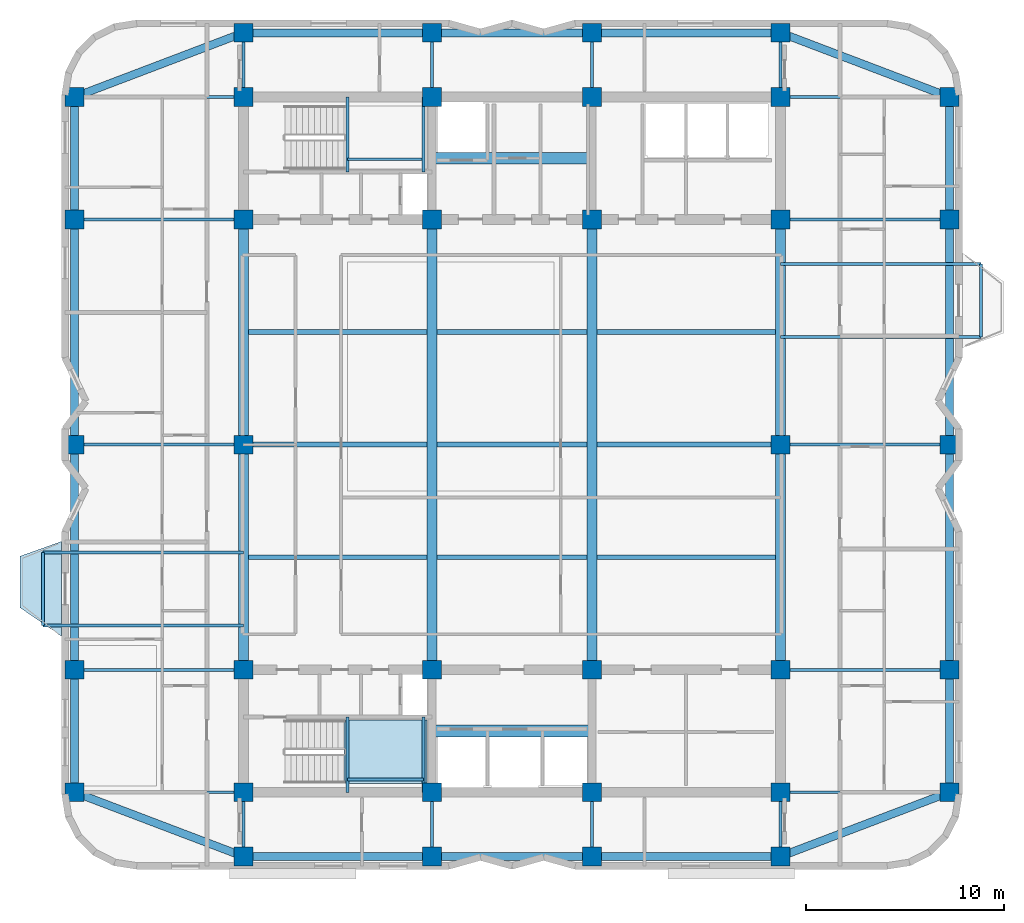
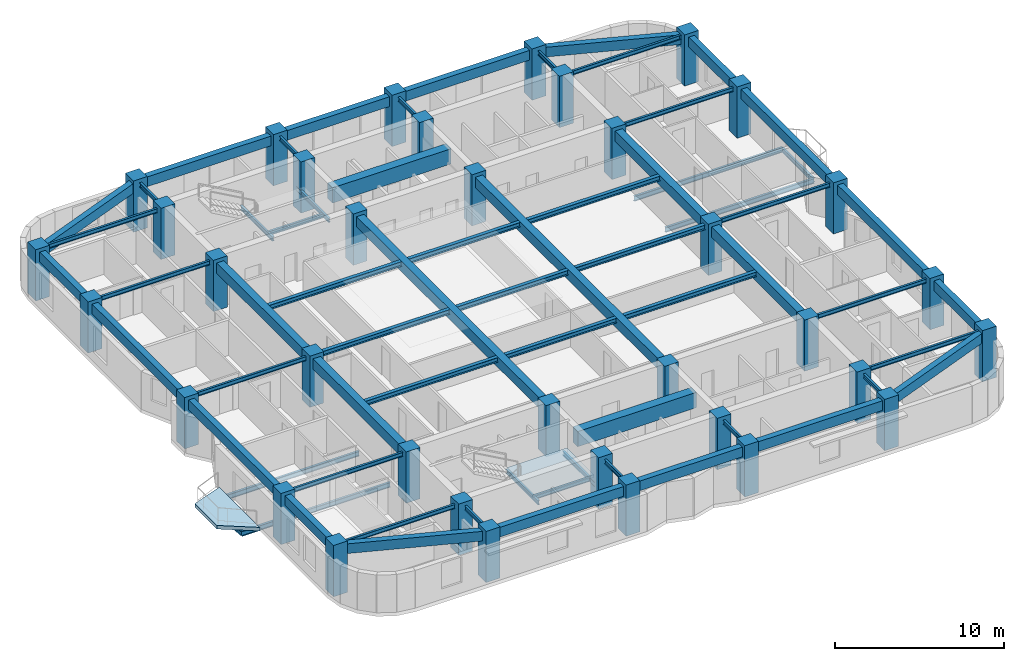
# One storey, part 1 of 10: 65 beams, 36 columns, 2 slabs, 1 element without a shape of its own.
"""IFC4 building model written with IfcOpenShell, lengths in metres."""

from ifc_helpers import new_model, si_unit, direction, frame, origin, origin_2d, place, context, subcontext, project, spatial, polyline, rectangle, i_section, outline, extrude, material, layer, layer_set, material_profile, profile_set, type_object, element, aggregate, save


model = new_model("IFC4")

# Units and contexts
model_context = context("Model", 3, precision=1e-05, world=origin(), true_north=direction((0.0, 1.0)))
body_context = subcontext(model_context, "Body", "Model", "MODEL_VIEW")
ifc_project = project(units=[si_unit("LENGTHUNIT", "METRE"), si_unit("AREAUNIT", "SQUARE_METRE"), si_unit("VOLUMEUNIT", "CUBIC_METRE"), si_unit("PLANEANGLEUNIT", "RADIAN"), si_unit("MASSUNIT", "GRAM", prefix="KILO")], contexts=[model_context])

# Site, building, storey
site_placement = place(None, origin())
site = spatial("IfcSite", under=ifc_project, at=site_placement, CompositionType="ELEMENT")
building_placement = place(site_placement, origin())
building = spatial("IfcBuilding", under=site, at=building_placement, Name="Svetorya Sky Lyceum", CompositionType="ELEMENT")
storey_placement = place(building_placement, frame((0.0, 0.0, 188.5)))
storey = spatial("IfcBuildingStorey", under=building, at=storey_placement, Name="L47", CompositionType="ELEMENT", Elevation=188.5)

# Columns
ifc_material_1 = material(Name="Concrete C50/60", Category="concrete")
ifc_material_profile_1 = material_profile(ifc_material_1, rectangle(XDim=0.949951171875, YDim=0.949951171875, at=origin_2d()), Name="RC COL 950x950")
ifc_profile_set_1 = profile_set([ifc_material_profile_1], Name="Concrete C50/60")
column_type = type_object("IfcColumnType", Name="COL-RC-950", PredefinedType="COLUMN", material=ifc_profile_set_1)
for number, where, z_axis, x_axis, name in (
    (1, (25.60009765625, 10.60009765625, 0.0), (0.0, 0.0, 1.0), (1.0, 0.0, 0.0), "L47 Core Column CS-11"),
    (2, (25.60009765625, 16.800048828125, 0.0), (0.0, 0.0, 1.0), (1.0, 0.0, 0.0), "L47 Core Column CS-12"),
    (3, (35.14990234375, 10.60009765625, 0.0), (0.0, 0.0, 1.0), (1.0, 0.0, 0.0), "L47 Core Column CS-21"),
    (4, (35.14990234375, 16.800048828125, 0.0), (0.0, 0.0, 1.0), (1.0, 0.0, 0.0), "L47 Core Column CS-22"),
    (5, (43.25, 10.60009765625, 0.0), (0.0, 0.0, 1.0), (1.0, 0.0, 0.0), "L47 Core Column CS-31"),
    (6, (43.25, 16.800048828125, 0.0), (0.0, 0.0, 1.0), (1.0, 0.0, 0.0), "L47 Core Column CS-32"),
    (7, (52.800048828125, 10.60009765625, 0.0), (0.0, 0.0, 1.0), (1.0, 0.0, 0.0), "L47 Core Column CS-41"),
    (8, (52.800048828125, 16.800048828125, 0.0), (0.0, 0.0, 1.0), (1.0, 0.0, 0.0), "L47 Core Column CS-42"),
    (9, (25.60009765625, 39.60009765625, 0.0), (0.0, 0.0, 1.0), (1.0, 0.0, 0.0), "L47 Core Column CN-11"),
    (10, (25.60009765625, 45.800048828125, 0.0), (0.0, 0.0, 1.0), (1.0, 0.0, 0.0), "L47 Core Column CN-12"),
    (11, (35.14990234375, 39.60009765625, 0.0), (0.0, 0.0, 1.0), (1.0, 0.0, 0.0), "L47 Core Column CN-21"),
    (12, (35.14990234375, 45.800048828125, 0.0), (0.0, 0.0, 1.0), (1.0, 0.0, 0.0), "L47 Core Column CN-22"),
    (13, (43.25, 39.60009765625, 0.0), (0.0, 0.0, 1.0), (1.0, 0.0, 0.0), "L47 Core Column CN-31"),
    (14, (43.25, 45.800048828125, 0.0), (0.0, 0.0, 1.0), (1.0, 0.0, 0.0), "L47 Core Column CN-32"),
    (15, (52.800048828125, 39.60009765625, 0.0), (0.0, 0.0, 1.0), (1.0, 0.0, 0.0), "L47 Core Column CN-41"),
    (16, (52.800048828125, 45.800048828125, 0.0), (0.0, 0.0, 1.0), (1.0, 0.0, 0.0), "L47 Core Column CN-42"),
    (17, (25.60009765625, 28.199951171875, 0.0), (0.0, 0.0, 1.0), (1.0, 0.0, 0.0), "L47 Core Column CM-W"),
    (18, (52.800048828125, 28.199951171875, 0.0), (0.0, 0.0, 1.0), (1.0, 0.0, 0.0), "L47 Core Column CM-E"),
    (19, (25.60009765625, 7.35009765625, 0.0), (0.0, 0.0, 1.0), (1.0, 0.0, 0.0), "L47 Perimeter Column S1"),
    (20, (25.60009765625, 49.050048828125, 0.0), (0.0, 0.0, 1.0), (1.0, 0.0, 0.0), "L47 Perimeter Column N1"),
    (21, (35.14990234375, 7.35009765625, 0.0), (0.0, 0.0, 1.0), (1.0, 0.0, 0.0), "L47 Perimeter Column S2"),
    (22, (35.14990234375, 49.050048828125, 0.0), (0.0, 0.0, 1.0), (1.0, 0.0, 0.0), "L47 Perimeter Column N2"),
    (23, (43.25, 7.35009765625, 0.0), (0.0, 0.0, 1.0), (1.0, 0.0, 0.0), "L47 Perimeter Column S3"),
    (24, (43.25, 49.050048828125, 0.0), (0.0, 0.0, 1.0), (1.0, 0.0, 0.0), "L47 Perimeter Column N3"),
    (25, (52.800048828125, 7.35009765625, 0.0), (0.0, 0.0, 1.0), (1.0, 0.0, 0.0), "L47 Perimeter Column S4"),
    (26, (52.800048828125, 49.050048828125, 0.0), (0.0, 0.0, 1.0), (1.0, 0.0, 0.0), "L47 Perimeter Column N4"),
    (27, (17.050048828125, 10.60009765625, 0.0), (0.0, 0.0, 1.0), (1.0, 0.0, 0.0), "L47 Perimeter Column W1"),
    (28, (61.35009765625, 10.60009765625, 0.0), (0.0, 0.0, 1.0), (1.0, 0.0, 0.0), "L47 Perimeter Column E1"),
    (29, (17.050048828125, 16.800048828125, 0.0), (0.0, 0.0, 1.0), (1.0, 0.0, 0.0), "L47 Perimeter Column W2"),
    (30, (61.35009765625, 16.800048828125, 0.0), (0.0, 0.0, 1.0), (1.0, 0.0, 0.0), "L47 Perimeter Column E2"),
    (31, (17.050048828125, 28.199951171875, 0.0), (0.0, 0.0, 1.0), (1.0, 0.0, 0.0), "L47 Perimeter Column W3"),
    (32, (61.35009765625, 28.199951171875, 0.0), (0.0, 0.0, 1.0), (1.0, 0.0, 0.0), "L47 Perimeter Column E3"),
    (33, (17.050048828125, 39.60009765625, 0.0), (0.0, 0.0, 1.0), (1.0, 0.0, 0.0), "L47 Perimeter Column W4"),
    (34, (61.35009765625, 39.60009765625, 0.0), (0.0, 0.0, 1.0), (1.0, 0.0, 0.0), "L47 Perimeter Column E4"),
    (35, (17.050048828125, 45.800048828125, 0.0), (0.0, 0.0, 1.0), (1.0, 0.0, 0.0), "L47 Perimeter Column W5"),
    (36, (61.35009765625, 45.800048828125, 0.0), (0.0, 0.0, 1.0), (1.0, 0.0, 0.0), "L47 Perimeter Column E5"),
):
    element("IfcColumn", number, at=place(storey_placement, frame(where, z_axis=z_axis, x_axis=x_axis)), inside=storey, type_object=column_type, Name=name, PredefinedType="COLUMN", context=body_context, shape_type="SweptSolid", body=[
        extrude(rectangle(XDim=0.949951171875, YDim=0.949951171875, at=origin_2d()), origin(), (0.0, 0.0, 1.0), 3.699951171875),
    ])

# Beams
ifc_material_2 = material(Name="Concrete C60/75", Category="concrete")
ifc_material_profile_2 = material_profile(ifc_material_2, rectangle(XDim=0.60009765625, YDim=1.10009765625, at=origin_2d()), Name="RC COUPLING 600x1100")
ifc_profile_set_2 = profile_set([ifc_material_profile_2], Name="Concrete C60/75")
beam_type_1 = type_object("IfcBeamType", Name="BM-CPL-1100", PredefinedType="LINTEL", material=ifc_profile_set_2)
for number, where, z_axis, x_axis, name in (
    (37, (35.14990234375, 13.699951171875, 2.889892578125), (1.0, 0.0, 0.0), (0.0, 1.0, 0.0), "L47 SC Core Coupling Beam"),
    (38, (35.14990234375, 42.699951171875, 2.889892578125), (1.0, 0.0, 0.0), (0.0, 1.0, 0.0), "L47 NC Core Coupling Beam"),
):
    element("IfcBeam", number, at=place(storey_placement, frame(where, z_axis=z_axis, x_axis=x_axis)), inside=storey, type_object=beam_type_1, Name=name, PredefinedType="LINTEL", context=body_context, shape_type="SweptSolid", body=[
        extrude(rectangle(XDim=0.60009765625, YDim=1.10009765625, at=origin_2d()), origin(), (0.0, 0.0, 1.0), 8.10009765625),
    ])
ifc_material_profile_3 = material_profile(ifc_material_1, rectangle(XDim=0.5, YDim=0.75, at=origin_2d()), Name="RC BEAM 500x750")
ifc_profile_set_3 = profile_set([ifc_material_profile_3], Name="Concrete C50/60")
beam_type_2 = type_object("IfcBeamType", Name="BM-RC-750", PredefinedType="BEAM", material=ifc_profile_set_3)
beam_1_placement = place(storey_placement, frame((25.60009765625, 16.800048828125, 3.06494140625), z_axis=(0.0, 1.0, 0.0), x_axis=(-1.0, 0.0, 0.0)))
element("IfcBeam", 39, at=beam_1_placement, inside=storey, type_object=beam_type_2, Name="L47 Central Bay Primary Girder CG-1A", PredefinedType="BEAM", context=body_context, shape_type="SweptSolid", body=[
    extrude(rectangle(XDim=0.5, YDim=0.75, at=origin_2d()), origin(), (0.0, 0.0, 1.0), 11.39990234375),
])
beam_2_placement = place(storey_placement, frame((25.60009765625, 28.199951171875, 3.06494140625), z_axis=(0.0, 1.0, 0.0), x_axis=(-1.0, 0.0, 0.0)))
element("IfcBeam", 40, at=beam_2_placement, inside=storey, type_object=beam_type_2, Name="L47 Central Bay Primary Girder CG-1B", PredefinedType="BEAM", context=body_context, shape_type="SweptSolid", body=[
    extrude(rectangle(XDim=0.5, YDim=0.75, at=origin_2d()), origin(), (0.0, 0.0, 1.0), 11.400146484375),
])
for number, where, z_axis, x_axis, name in (
    (41, (35.14990234375, 16.800048828125, 3.06494140625), (0.0, 1.0, 0.0), (-1.0, 0.0, 0.0), "L47 Central Bay Primary Girder CG-2"),
    (42, (43.25, 16.800048828125, 3.06494140625), (0.0, 1.0, 0.0), (-1.0, 0.0, 0.0), "L47 Central Bay Primary Girder CG-3"),
):
    element("IfcBeam", number, at=place(storey_placement, frame(where, z_axis=z_axis, x_axis=x_axis)), inside=storey, type_object=beam_type_2, Name=name, PredefinedType="BEAM", context=body_context, shape_type="SweptSolid", body=[
        extrude(rectangle(XDim=0.5, YDim=0.75, at=origin_2d()), origin(), (0.0, 0.0, 1.0), 22.800048828125),
    ])
beam_3_placement = place(storey_placement, frame((52.800048828125, 16.800048828125, 3.06494140625), z_axis=(0.0, 1.0, 0.0), x_axis=(-1.0, 0.0, 0.0)))
element("IfcBeam", 43, at=beam_3_placement, inside=storey, type_object=beam_type_2, Name="L47 Central Bay Primary Girder CG-4A", PredefinedType="BEAM", context=body_context, shape_type="SweptSolid", body=[
    extrude(rectangle(XDim=0.5, YDim=0.75, at=origin_2d()), origin(), (0.0, 0.0, 1.0), 11.39990234375),
])
beam_4_placement = place(storey_placement, frame((52.800048828125, 28.199951171875, 3.06494140625), z_axis=(0.0, 1.0, 0.0), x_axis=(-1.0, 0.0, 0.0)))
element("IfcBeam", 44, at=beam_4_placement, inside=storey, type_object=beam_type_2, Name="L47 Central Bay Primary Girder CG-4B", PredefinedType="BEAM", context=body_context, shape_type="SweptSolid", body=[
    extrude(rectangle(XDim=0.5, YDim=0.75, at=origin_2d()), origin(), (0.0, 0.0, 1.0), 11.400146484375),
])
ifc_material_profile_4 = material_profile(ifc_material_1, rectangle(XDim=0.39990234375, YDim=0.699951171875, at=origin_2d()), Name="RC SPANDREL 400x700")
ifc_profile_set_4 = profile_set([ifc_material_profile_4], Name="Concrete C50/60")
beam_type_3 = type_object("IfcBeamType", Name="BM-SPN-700", PredefinedType="SPANDREL", material=ifc_profile_set_4)
beam_5_placement = place(storey_placement, frame((25.60009765625, 7.35009765625, 3.090087890625), z_axis=(1.0, 0.0, 0.0), x_axis=(0.0, 1.0, 0.0)))
element("IfcBeam", 45, at=beam_5_placement, inside=storey, type_object=beam_type_3, Name="L47 South Spandrel 1", PredefinedType="SPANDREL", context=body_context, shape_type="SweptSolid", body=[
    extrude(rectangle(XDim=0.39990234375, YDim=0.699951171875, at=origin_2d()), origin(), (0.0, 0.0, 1.0), 9.5498046875),
])
beam_6_placement = place(storey_placement, frame((35.14990234375, 7.35009765625, 3.090087890625), z_axis=(1.0, 0.0, 0.0), x_axis=(0.0, 1.0, 0.0)))
element("IfcBeam", 46, at=beam_6_placement, inside=storey, type_object=beam_type_3, Name="L47 South Spandrel 2", PredefinedType="SPANDREL", context=body_context, shape_type="SweptSolid", body=[
    extrude(rectangle(XDim=0.39990234375, YDim=0.699951171875, at=origin_2d()), origin(), (0.0, 0.0, 1.0), 8.10009765625),
])
beam_7_placement = place(storey_placement, frame((43.25, 7.35009765625, 3.090087890625), z_axis=(1.0, 0.0, 0.0), x_axis=(0.0, 1.0, 0.0)))
element("IfcBeam", 47, at=beam_7_placement, inside=storey, type_object=beam_type_3, Name="L47 South Spandrel 3", PredefinedType="SPANDREL", context=body_context, shape_type="SweptSolid", body=[
    extrude(rectangle(XDim=0.39990234375, YDim=0.699951171875, at=origin_2d()), origin(), (0.0, 0.0, 1.0), 9.550048828125),
])
beam_8_placement = place(storey_placement, frame((25.60009765625, 49.050048828125, 3.090087890625), z_axis=(1.0, 0.0, 0.0), x_axis=(0.0, 1.0, 0.0)))
element("IfcBeam", 48, at=beam_8_placement, inside=storey, type_object=beam_type_3, Name="L47 North Spandrel 1", PredefinedType="SPANDREL", context=body_context, shape_type="SweptSolid", body=[
    extrude(rectangle(XDim=0.39990234375, YDim=0.699951171875, at=origin_2d()), origin(), (0.0, 0.0, 1.0), 9.5498046875),
])
beam_9_placement = place(storey_placement, frame((35.14990234375, 49.050048828125, 3.090087890625), z_axis=(1.0, 0.0, 0.0), x_axis=(0.0, 1.0, 0.0)))
element("IfcBeam", 49, at=beam_9_placement, inside=storey, type_object=beam_type_3, Name="L47 North Spandrel 2", PredefinedType="SPANDREL", context=body_context, shape_type="SweptSolid", body=[
    extrude(rectangle(XDim=0.39990234375, YDim=0.699951171875, at=origin_2d()), origin(), (0.0, 0.0, 1.0), 8.10009765625),
])
beam_10_placement = place(storey_placement, frame((43.25, 49.050048828125, 3.090087890625), z_axis=(1.0, 0.0, 0.0), x_axis=(0.0, 1.0, 0.0)))
element("IfcBeam", 50, at=beam_10_placement, inside=storey, type_object=beam_type_3, Name="L47 North Spandrel 3", PredefinedType="SPANDREL", context=body_context, shape_type="SweptSolid", body=[
    extrude(rectangle(XDim=0.39990234375, YDim=0.699951171875, at=origin_2d()), origin(), (0.0, 0.0, 1.0), 9.550048828125),
])
for number, where, z_axis, x_axis, name in (
    (51, (25.60009765625, 7.35009765625, 3.090087890625), (-0.934747947367, 0.355311518099, 0.0), (-0.355311518099, -0.934747947367, 0.0), "L47 Corner Spandrel 1"),
    (52, (52.800048828125, 7.35009765625, 3.090087890625), (0.934747947367, 0.355311518099, 0.0), (-0.355311518099, 0.934747947367, 0.0), "L47 Corner Spandrel 2"),
    (53, (61.35009765625, 45.800048828125, 3.090087890625), (-0.934747947367, 0.355311518099, 0.0), (-0.355311518099, -0.934747947367, 0.0), "L47 Corner Spandrel 3"),
    (54, (17.050048828125, 45.800048828125, 3.090087890625), (0.934747947367, 0.355311518099, 0.0), (-0.355311518099, 0.934747947367, 0.0), "L47 Corner Spandrel 4"),
):
    element("IfcBeam", number, at=place(storey_placement, frame(where, z_axis=z_axis, x_axis=x_axis)), inside=storey, type_object=beam_type_3, Name=name, PredefinedType="SPANDREL", context=body_context, shape_type="SweptSolid", body=[
        extrude(rectangle(XDim=0.39990234375, YDim=0.699951171875, at=origin_2d()), origin(), (0.0, 0.0, 1.0), 9.14697265625),
    ])
beam_11_placement = place(storey_placement, frame((17.050048828125, 10.60009765625, 3.090087890625), z_axis=(0.0, 1.0, 0.0), x_axis=(-1.0, 0.0, 0.0)))
element("IfcBeam", 55, at=beam_11_placement, inside=storey, type_object=beam_type_3, Name="L47 West Spandrel 1", PredefinedType="SPANDREL", context=body_context, shape_type="SweptSolid", body=[
    extrude(rectangle(XDim=0.39990234375, YDim=0.699951171875, at=origin_2d()), origin(), (0.0, 0.0, 1.0), 6.199951171875),
])
beam_12_placement = place(storey_placement, frame((17.050048828125, 16.800048828125, 3.090087890625), z_axis=(0.0, 1.0, 0.0), x_axis=(-1.0, 0.0, 0.0)))
element("IfcBeam", 56, at=beam_12_placement, inside=storey, type_object=beam_type_3, Name="L47 West Spandrel 2", PredefinedType="SPANDREL", context=body_context, shape_type="SweptSolid", body=[
    extrude(rectangle(XDim=0.39990234375, YDim=0.699951171875, at=origin_2d()), origin(), (0.0, 0.0, 1.0), 11.39990234375),
])
beam_13_placement = place(storey_placement, frame((17.050048828125, 28.199951171875, 3.090087890625), z_axis=(0.0, 1.0, 0.0), x_axis=(-1.0, 0.0, 0.0)))
element("IfcBeam", 57, at=beam_13_placement, inside=storey, type_object=beam_type_3, Name="L47 West Spandrel 3", PredefinedType="SPANDREL", context=body_context, shape_type="SweptSolid", body=[
    extrude(rectangle(XDim=0.39990234375, YDim=0.699951171875, at=origin_2d()), origin(), (0.0, 0.0, 1.0), 11.400146484375),
])
for number, where, z_axis, x_axis, name in (
    (58, (17.050048828125, 39.60009765625, 3.090087890625), (0.0, 1.0, 0.0), (-1.0, 0.0, 0.0), "L47 West Spandrel 4"),
    (59, (61.35009765625, 10.60009765625, 3.090087890625), (0.0, 1.0, 0.0), (-1.0, 0.0, 0.0), "L47 East Spandrel 1"),
):
    element("IfcBeam", number, at=place(storey_placement, frame(where, z_axis=z_axis, x_axis=x_axis)), inside=storey, type_object=beam_type_3, Name=name, PredefinedType="SPANDREL", context=body_context, shape_type="SweptSolid", body=[
        extrude(rectangle(XDim=0.39990234375, YDim=0.699951171875, at=origin_2d()), origin(), (0.0, 0.0, 1.0), 6.199951171875),
    ])
beam_14_placement = place(storey_placement, frame((61.35009765625, 16.800048828125, 3.090087890625), z_axis=(0.0, 1.0, 0.0), x_axis=(-1.0, 0.0, 0.0)))
element("IfcBeam", 60, at=beam_14_placement, inside=storey, type_object=beam_type_3, Name="L47 East Spandrel 2", PredefinedType="SPANDREL", context=body_context, shape_type="SweptSolid", body=[
    extrude(rectangle(XDim=0.39990234375, YDim=0.699951171875, at=origin_2d()), origin(), (0.0, 0.0, 1.0), 11.39990234375),
])
beam_15_placement = place(storey_placement, frame((61.35009765625, 28.199951171875, 3.090087890625), z_axis=(0.0, 1.0, 0.0), x_axis=(-1.0, 0.0, 0.0)))
element("IfcBeam", 61, at=beam_15_placement, inside=storey, type_object=beam_type_3, Name="L47 East Spandrel 3", PredefinedType="SPANDREL", context=body_context, shape_type="SweptSolid", body=[
    extrude(rectangle(XDim=0.39990234375, YDim=0.699951171875, at=origin_2d()), origin(), (0.0, 0.0, 1.0), 11.400146484375),
])
beam_16_placement = place(storey_placement, frame((61.35009765625, 39.60009765625, 3.090087890625), z_axis=(0.0, 1.0, 0.0), x_axis=(-1.0, 0.0, 0.0)))
element("IfcBeam", 62, at=beam_16_placement, inside=storey, type_object=beam_type_3, Name="L47 East Spandrel 4", PredefinedType="SPANDREL", context=body_context, shape_type="SweptSolid", body=[
    extrude(rectangle(XDim=0.39990234375, YDim=0.699951171875, at=origin_2d()), origin(), (0.0, 0.0, 1.0), 6.199951171875),
])
ifc_material_3 = material(Name="Steel S355", Category="steel")
ifc_material_profile_5 = material_profile(ifc_material_3, i_section(OverallWidth=0.14990234375, OverallDepth=0.299072265625, WebThickness=0.006591796875, FlangeThickness=0.010498046875, at=origin_2d()), Name="GOST 30B2")
ifc_profile_set_5 = profile_set([ifc_material_profile_5], Name="Steel S355")
beam_type_4 = type_object("IfcBeamType", Name="BM-STL-30B2", PredefinedType="JOIST", material=ifc_profile_set_5)
beam_17_placement = place(storey_placement, frame((15.449951171875, 19.050048828125, -0.4345703125), z_axis=(0.0, 1.0, 0.0), x_axis=(-1.0, 0.0, 0.0)))
element("IfcBeam", 63, at=beam_17_placement, inside=storey, type_object=beam_type_4, Name="L47 Balcony Edge Tie BAL-W1", PredefinedType="JOIST", context=body_context, shape_type="SweptSolid", body=[
    extrude(i_section(OverallWidth=0.14990234375, OverallDepth=0.299072265625, WebThickness=0.006591796875, FlangeThickness=0.010498046875, at=origin_2d()), origin(), (0.0, 0.0, 1.0), 3.699951171875),
])
beam_18_placement = place(storey_placement, frame((62.949951171875, 33.64990234375, -0.4345703125), z_axis=(0.0, 1.0, 0.0), x_axis=(-1.0, 0.0, 0.0)))
element("IfcBeam", 64, at=beam_18_placement, inside=storey, type_object=beam_type_4, Name="L47 Balcony Edge Tie BAL-E1", PredefinedType="JOIST", context=body_context, shape_type="SweptSolid", body=[
    extrude(i_section(OverallWidth=0.14990234375, OverallDepth=0.299072265625, WebThickness=0.006591796875, FlangeThickness=0.010498046875, at=origin_2d()), origin(), (0.0, 0.0, 1.0), 3.7001953125),
])
for number, where, z_axis, x_axis, name in (
    (65, (17.050048828125, 10.60009765625, 3.29052734375), (1.0, 0.0, 0.0), (0.0, 1.0, 0.0), "L47 West Wing Floor Joist W1"),
    (66, (52.800048828125, 10.60009765625, 3.29052734375), (1.0, 0.0, 0.0), (0.0, 1.0, 0.0), "L47 East Wing Floor Joist E1"),
    (67, (17.050048828125, 16.800048828125, 3.29052734375), (1.0, 0.0, 0.0), (0.0, 1.0, 0.0), "L47 West Wing Floor Joist W2"),
    (68, (52.800048828125, 16.800048828125, 3.29052734375), (1.0, 0.0, 0.0), (0.0, 1.0, 0.0), "L47 East Wing Floor Joist E2"),
    (69, (17.050048828125, 28.199951171875, 3.29052734375), (1.0, 0.0, 0.0), (0.0, 1.0, 0.0), "L47 West Wing Floor Joist W3"),
    (70, (52.800048828125, 28.199951171875, 3.29052734375), (1.0, 0.0, 0.0), (0.0, 1.0, 0.0), "L47 East Wing Floor Joist E3"),
    (71, (17.050048828125, 39.60009765625, 3.29052734375), (1.0, 0.0, 0.0), (0.0, 1.0, 0.0), "L47 West Wing Floor Joist W4"),
    (72, (52.800048828125, 39.60009765625, 3.29052734375), (1.0, 0.0, 0.0), (0.0, 1.0, 0.0), "L47 East Wing Floor Joist E4"),
    (73, (17.050048828125, 45.800048828125, 3.29052734375), (1.0, 0.0, 0.0), (0.0, 1.0, 0.0), "L47 West Wing Floor Joist W5"),
    (74, (52.800048828125, 45.800048828125, 3.29052734375), (1.0, 0.0, 0.0), (0.0, 1.0, 0.0), "L47 East Wing Floor Joist E5"),
):
    element("IfcBeam", number, at=place(storey_placement, frame(where, z_axis=z_axis, x_axis=x_axis)), inside=storey, type_object=beam_type_4, Name=name, PredefinedType="JOIST", context=body_context, shape_type="SweptSolid", body=[
        extrude(i_section(OverallWidth=0.14990234375, OverallDepth=0.299072265625, WebThickness=0.006591796875, FlangeThickness=0.010498046875, at=origin_2d()), origin(), (0.0, 0.0, 1.0), 8.550048828125),
    ])
for number, where, z_axis, x_axis, name in (
    (75, (25.60009765625, 7.35009765625, 3.29052734375), (0.0, 1.0, 0.0), (-1.0, 0.0, 0.0), "L47 South Bay Floor Girder S1"),
    (76, (25.60009765625, 45.800048828125, 3.29052734375), (0.0, 1.0, 0.0), (-1.0, 0.0, 0.0), "L47 North Bay Floor Girder N1"),
    (77, (35.14990234375, 7.35009765625, 3.29052734375), (0.0, 1.0, 0.0), (-1.0, 0.0, 0.0), "L47 South Bay Floor Girder S2"),
    (78, (35.14990234375, 45.800048828125, 3.29052734375), (0.0, 1.0, 0.0), (-1.0, 0.0, 0.0), "L47 North Bay Floor Girder N2"),
    (79, (43.25, 7.35009765625, 3.29052734375), (0.0, 1.0, 0.0), (-1.0, 0.0, 0.0), "L47 South Bay Floor Girder S3"),
    (80, (43.25, 45.800048828125, 3.29052734375), (0.0, 1.0, 0.0), (-1.0, 0.0, 0.0), "L47 North Bay Floor Girder N3"),
    (81, (52.800048828125, 7.35009765625, 3.29052734375), (0.0, 1.0, 0.0), (-1.0, 0.0, 0.0), "L47 South Bay Floor Girder S4"),
    (82, (52.800048828125, 45.800048828125, 3.29052734375), (0.0, 1.0, 0.0), (-1.0, 0.0, 0.0), "L47 North Bay Floor Girder N4"),
):
    element("IfcBeam", number, at=place(storey_placement, frame(where, z_axis=z_axis, x_axis=x_axis)), inside=storey, type_object=beam_type_4, Name=name, PredefinedType="JOIST", context=body_context, shape_type="SweptSolid", body=[
        extrude(i_section(OverallWidth=0.14990234375, OverallDepth=0.299072265625, WebThickness=0.006591796875, FlangeThickness=0.010498046875, at=origin_2d()), origin(), (0.0, 0.0, 1.0), 3.25),
    ])
for number, where, z_axis, x_axis, name in (
    (83, (30.8798828125, 10.60009765625, 1.50048828125), (0.0, 1.0, 0.0), (-1.0, 0.0, 0.0), "L47 Stair ST-S Half-Landing Support Beam 53.1"),
    (84, (34.719970703125, 10.60009765625, 1.50048828125), (0.0, 1.0, 0.0), (-1.0, 0.0, 0.0), "L47 Stair ST-S Half-Landing Support Beam 53.2"),
):
    element("IfcBeam", number, at=place(storey_placement, frame(where, z_axis=z_axis, x_axis=x_axis)), inside=storey, type_object=beam_type_4, Name=name, PredefinedType="JOIST", context=body_context, shape_type="SweptSolid", body=[
        extrude(i_section(OverallWidth=0.14990234375, OverallDepth=0.299072265625, WebThickness=0.006591796875, FlangeThickness=0.010498046875, at=origin_2d()), origin(), (0.0, 0.0, 1.0), 3.7998046875),
    ])
beam_19_placement = place(storey_placement, frame((30.8798828125, 11.25, 1.50048828125), z_axis=(1.0, 0.0, 0.0), x_axis=(0.0, 1.0, 0.0)))
element("IfcBeam", 85, at=beam_19_placement, inside=storey, type_object=beam_type_4, Name="L47 Stair ST-S Half-Landing Cross Tie 53", PredefinedType="JOIST", context=body_context, shape_type="SweptSolid", body=[
    extrude(i_section(OverallWidth=0.14990234375, OverallDepth=0.299072265625, WebThickness=0.006591796875, FlangeThickness=0.010498046875, at=origin_2d()), origin(), (0.0, 0.0, 1.0), 3.840087890625),
])
for number, where, z_axis, x_axis, name in (
    (86, (30.8798828125, 42.0, 1.50048828125), (0.0, 1.0, 0.0), (-1.0, 0.0, 0.0), "L47 Stair ST-N Half-Landing Support Beam 53.1"),
    (87, (34.719970703125, 42.0, 1.50048828125), (0.0, 1.0, 0.0), (-1.0, 0.0, 0.0), "L47 Stair ST-N Half-Landing Support Beam 53.2"),
):
    element("IfcBeam", number, at=place(storey_placement, frame(where, z_axis=z_axis, x_axis=x_axis)), inside=storey, type_object=beam_type_4, Name=name, PredefinedType="JOIST", context=body_context, shape_type="SweptSolid", body=[
        extrude(i_section(OverallWidth=0.14990234375, OverallDepth=0.299072265625, WebThickness=0.006591796875, FlangeThickness=0.010498046875, at=origin_2d()), origin(), (0.0, 0.0, 1.0), 3.800048828125),
    ])
beam_20_placement = place(storey_placement, frame((30.8798828125, 42.64990234375, 1.50048828125), z_axis=(1.0, 0.0, 0.0), x_axis=(0.0, 1.0, 0.0)))
element("IfcBeam", 88, at=beam_20_placement, inside=storey, type_object=beam_type_4, Name="L47 Stair ST-N Half-Landing Cross Tie 53", PredefinedType="JOIST", context=body_context, shape_type="SweptSolid", body=[
    extrude(i_section(OverallWidth=0.14990234375, OverallDepth=0.299072265625, WebThickness=0.006591796875, FlangeThickness=0.010498046875, at=origin_2d()), origin(), (0.0, 0.0, 1.0), 3.840087890625),
])
ifc_material_profile_6 = material_profile(ifc_material_3, i_section(OverallWidth=0.155029296875, OverallDepth=0.34912109375, WebThickness=0.007080078125, FlangeThickness=0.011474609375, at=origin_2d()), Name="GOST 35B2")
ifc_profile_set_6 = profile_set([ifc_material_profile_6], Name="Steel S355")
beam_type_5 = type_object("IfcBeamType", Name="BM-STL-35B2", PredefinedType="JOIST", material=ifc_profile_set_6)
for number, where, z_axis, x_axis, name in (
    (89, (25.60009765625, 19.050048828125, -0.4345703125), (-1.0, 0.0, 0.0), (0.0, -1.0, 0.0), "L47 Balcony Cantilever Beam BAL-W1-1"),
    (90, (25.60009765625, 22.75, -0.4345703125), (-1.0, 0.0, 0.0), (0.0, -1.0, 0.0), "L47 Balcony Cantilever Beam BAL-W1-2"),
):
    element("IfcBeam", number, at=place(storey_placement, frame(where, z_axis=z_axis, x_axis=x_axis)), inside=storey, type_object=beam_type_5, Name=name, PredefinedType="JOIST", context=body_context, shape_type="SweptSolid", body=[
        extrude(i_section(OverallWidth=0.155029296875, OverallDepth=0.34912109375, WebThickness=0.007080078125, FlangeThickness=0.011474609375, at=origin_2d()), origin(), (0.0, 0.0, 1.0), 10.150146484375),
    ])
for number, where, z_axis, x_axis, name in (
    (91, (52.800048828125, 33.64990234375, -0.4345703125), (1.0, 0.0, 0.0), (0.0, 1.0, 0.0), "L47 Balcony Cantilever Beam BAL-E1-1"),
    (92, (52.800048828125, 37.35009765625, -0.4345703125), (1.0, 0.0, 0.0), (0.0, 1.0, 0.0), "L47 Balcony Cantilever Beam BAL-E1-2"),
):
    element("IfcBeam", number, at=place(storey_placement, frame(where, z_axis=z_axis, x_axis=x_axis)), inside=storey, type_object=beam_type_5, Name=name, PredefinedType="JOIST", context=body_context, shape_type="SweptSolid", body=[
        extrude(i_section(OverallWidth=0.155029296875, OverallDepth=0.34912109375, WebThickness=0.007080078125, FlangeThickness=0.011474609375, at=origin_2d()), origin(), (0.0, 0.0, 1.0), 10.14990234375),
    ])
ifc_material_profile_7 = material_profile(ifc_material_3, i_section(OverallWidth=0.25, OverallDepth=0.345947265625, WebThickness=0.009521484375, FlangeThickness=0.014404296875, at=origin_2d()), Name="GOST 35Sh2")
ifc_profile_set_7 = profile_set([ifc_material_profile_7], Name="Steel S355")
beam_type_6 = type_object("IfcBeamType", Name="BM-STL-35SH2", PredefinedType="BEAM", material=ifc_profile_set_7)
beam_21_placement = place(storey_placement, frame((25.85009765625, 22.5, 3.26708984375), z_axis=(1.0, 0.0, 0.0), x_axis=(0.0, 1.0, 0.0)))
element("IfcBeam", 93, at=beam_21_placement, inside=storey, type_object=beam_type_6, Name="L47 Central Floor Joist CJ-1.1", PredefinedType="BEAM", context=body_context, shape_type="SweptSolid", body=[
    extrude(i_section(OverallWidth=0.25, OverallDepth=0.345947265625, WebThickness=0.009521484375, FlangeThickness=0.014404296875, at=origin_2d()), origin(), (0.0, 0.0, 1.0), 9.0498046875),
])
beam_22_placement = place(storey_placement, frame((35.39990234375, 22.5, 3.26708984375), z_axis=(1.0, 0.0, 0.0), x_axis=(0.0, 1.0, 0.0)))
element("IfcBeam", 94, at=beam_22_placement, inside=storey, type_object=beam_type_6, Name="L47 Central Floor Joist CJ-1.2", PredefinedType="BEAM", context=body_context, shape_type="SweptSolid", body=[
    extrude(i_section(OverallWidth=0.25, OverallDepth=0.345947265625, WebThickness=0.009521484375, FlangeThickness=0.014404296875, at=origin_2d()), origin(), (0.0, 0.0, 1.0), 7.60009765625),
])
beam_23_placement = place(storey_placement, frame((43.5, 22.5, 3.26708984375), z_axis=(1.0, 0.0, 0.0), x_axis=(0.0, 1.0, 0.0)))
element("IfcBeam", 95, at=beam_23_placement, inside=storey, type_object=beam_type_6, Name="L47 Central Floor Joist CJ-1.3", PredefinedType="BEAM", context=body_context, shape_type="SweptSolid", body=[
    extrude(i_section(OverallWidth=0.25, OverallDepth=0.345947265625, WebThickness=0.009521484375, FlangeThickness=0.014404296875, at=origin_2d()), origin(), (0.0, 0.0, 1.0), 9.050048828125),
])
beam_24_placement = place(storey_placement, frame((25.85009765625, 28.199951171875, 3.26708984375), z_axis=(1.0, 0.0, 0.0), x_axis=(0.0, 1.0, 0.0)))
element("IfcBeam", 96, at=beam_24_placement, inside=storey, type_object=beam_type_6, Name="L47 Central Floor Joist CJ-2.1", PredefinedType="BEAM", context=body_context, shape_type="SweptSolid", body=[
    extrude(i_section(OverallWidth=0.25, OverallDepth=0.345947265625, WebThickness=0.009521484375, FlangeThickness=0.014404296875, at=origin_2d()), origin(), (0.0, 0.0, 1.0), 9.0498046875),
])
beam_25_placement = place(storey_placement, frame((35.39990234375, 28.199951171875, 3.26708984375), z_axis=(1.0, 0.0, 0.0), x_axis=(0.0, 1.0, 0.0)))
element("IfcBeam", 97, at=beam_25_placement, inside=storey, type_object=beam_type_6, Name="L47 Central Floor Joist CJ-2.2", PredefinedType="BEAM", context=body_context, shape_type="SweptSolid", body=[
    extrude(i_section(OverallWidth=0.25, OverallDepth=0.345947265625, WebThickness=0.009521484375, FlangeThickness=0.014404296875, at=origin_2d()), origin(), (0.0, 0.0, 1.0), 7.60009765625),
])
beam_26_placement = place(storey_placement, frame((43.5, 28.199951171875, 3.26708984375), z_axis=(1.0, 0.0, 0.0), x_axis=(0.0, 1.0, 0.0)))
element("IfcBeam", 98, at=beam_26_placement, inside=storey, type_object=beam_type_6, Name="L47 Central Floor Joist CJ-2.3", PredefinedType="BEAM", context=body_context, shape_type="SweptSolid", body=[
    extrude(i_section(OverallWidth=0.25, OverallDepth=0.345947265625, WebThickness=0.009521484375, FlangeThickness=0.014404296875, at=origin_2d()), origin(), (0.0, 0.0, 1.0), 9.050048828125),
])
beam_27_placement = place(storey_placement, frame((25.85009765625, 33.89990234375, 3.26708984375), z_axis=(1.0, 0.0, 0.0), x_axis=(0.0, 1.0, 0.0)))
element("IfcBeam", 99, at=beam_27_placement, inside=storey, type_object=beam_type_6, Name="L47 Central Floor Joist CJ-3.1", PredefinedType="BEAM", context=body_context, shape_type="SweptSolid", body=[
    extrude(i_section(OverallWidth=0.25, OverallDepth=0.345947265625, WebThickness=0.009521484375, FlangeThickness=0.014404296875, at=origin_2d()), origin(), (0.0, 0.0, 1.0), 9.0498046875),
])
beam_28_placement = place(storey_placement, frame((35.39990234375, 33.89990234375, 3.26708984375), z_axis=(1.0, 0.0, 0.0), x_axis=(0.0, 1.0, 0.0)))
element("IfcBeam", 100, at=beam_28_placement, inside=storey, type_object=beam_type_6, Name="L47 Central Floor Joist CJ-3.2", PredefinedType="BEAM", context=body_context, shape_type="SweptSolid", body=[
    extrude(i_section(OverallWidth=0.25, OverallDepth=0.345947265625, WebThickness=0.009521484375, FlangeThickness=0.014404296875, at=origin_2d()), origin(), (0.0, 0.0, 1.0), 7.60009765625),
])
beam_29_placement = place(storey_placement, frame((43.5, 33.89990234375, 3.26708984375), z_axis=(1.0, 0.0, 0.0), x_axis=(0.0, 1.0, 0.0)))
element("IfcBeam", 101, at=beam_29_placement, inside=storey, type_object=beam_type_6, Name="L47 Central Floor Joist CJ-3.3", PredefinedType="BEAM", context=body_context, shape_type="SweptSolid", body=[
    extrude(i_section(OverallWidth=0.25, OverallDepth=0.345947265625, WebThickness=0.009521484375, FlangeThickness=0.014404296875, at=origin_2d()), origin(), (0.0, 0.0, 1.0), 9.050048828125),
])

# Slab
ifc_material_4 = material(Name="Concrete C40/50", Category="concrete")
ifc_layer_1 = layer(ifc_material_4, 0.260009765625)
ifc_layer_set_1 = layer_set([ifc_layer_1], Name="Concrete C40/50")
slab_type_1 = type_object("IfcSlabType", Name="SL-BAL-260", PredefinedType="FLOOR", material=ifc_layer_set_1)
slab_1_placement = place(storey_placement, frame((0.0, 0.0, -0.260009765625)))
element("IfcSlab", 102, at=slab_1_placement, inside=storey, type_object=slab_type_1, Name="L47 Chamfered Loggia Balcony BAL-W1", PredefinedType="FLOOR", context=body_context, shape_type="SweptSolid", body=[
    extrude(outline(polyline([(16.389892578125, 18.5), (16.389892578125, 23.300048828125), (14.2900390625, 22.550048828125), (14.2900390625, 19.949951171875), (16.389892578125, 18.5)])), origin(), (0.0, 0.0, 1.0), 0.260009765625),
])

# Stair, slab
stair_type = type_object("IfcStairType", Name="STR-ST-S", PredefinedType="HALF_TURN_STAIR", material=ifc_material_4)
stair_placement = place(storey_placement, origin())
stair = element("IfcStair", 103, at=stair_placement, inside=storey, type_object=stair_type, Name="L47 South Core Smoke-Free Exit Stair N2", PredefinedType="HALF_TURN_STAIR")
ifc_layer_2 = layer(ifc_material_4, 0.199951171875)
ifc_layer_set_2 = layer_set([ifc_layer_2], Name="Concrete C40/50")
slab_type_2 = type_object("IfcSlabType", Name="SL-STR-LAND-200", PredefinedType="LANDING", material=ifc_layer_set_2)
slab_2_placement = place(storey_placement, frame((0.0, 0.0, 1.64990234375)))
slab_2 = element("IfcSlab", 104, at=slab_2_placement, type_object=slab_type_2, Name="ST-S landing 1", PredefinedType="LANDING", context=body_context, shape_type="SweptSolid", body=[
    extrude(outline(polyline([(30.699951171875, 11.050048828125), (34.89990234375, 11.050048828125), (34.89990234375, 14.25), (30.699951171875, 14.25), (30.699951171875, 11.050048828125)])), origin(), (0.0, 0.0, 1.0), 0.2001953125),
])
aggregate(stair, [slab_2])

save(model, "model.ifc")
